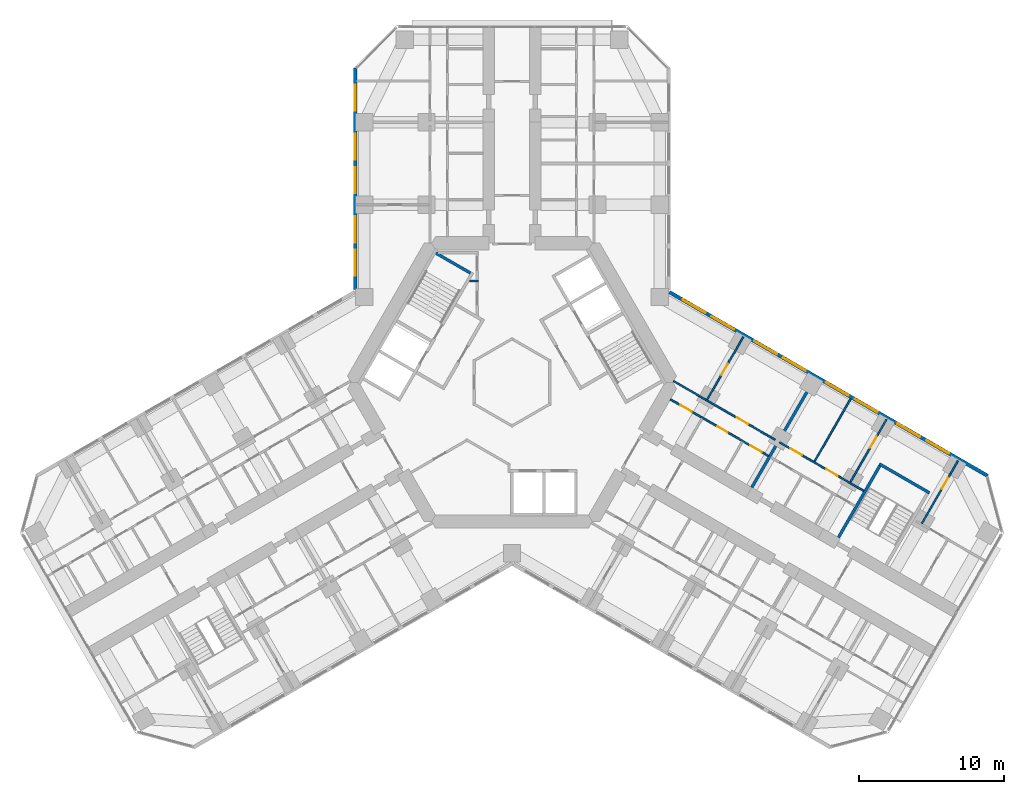
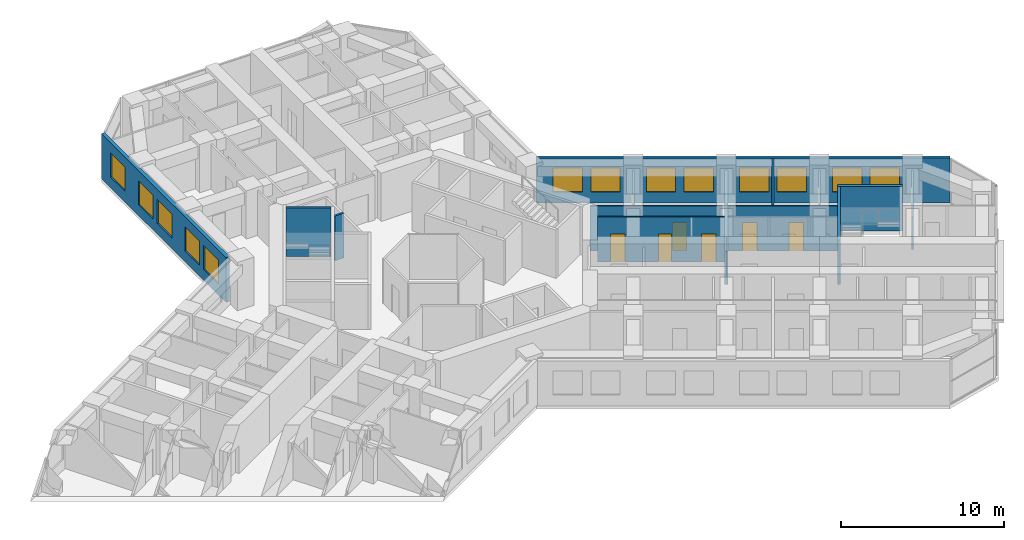
# One storey, part 16 of 20: 14 walls, 13 windows, 9 doors, 22 openings.
"""IFC4 building model written with IfcOpenShell, lengths in metres."""

from ifc_helpers import new_model, si_unit, direction, frame, frame_2d, origin, place, context, subcontext, project, spatial, rectangle, extrude, material, layer, layer_set, type_object, element, fill, save


model = new_model("IFC4")

# Units and contexts
model_context = context("Model", 3, precision=1e-05, world=origin(), true_north=direction((0.0, 1.0)))
body_context = subcontext(model_context, "Body", "Model", "MODEL_VIEW")
ifc_project = project(units=[si_unit("LENGTHUNIT", "METRE"), si_unit("AREAUNIT", "SQUARE_METRE"), si_unit("VOLUMEUNIT", "CUBIC_METRE"), si_unit("PLANEANGLEUNIT", "RADIAN"), si_unit("MASSUNIT", "GRAM", prefix="KILO")], contexts=[model_context])

# Site, building, storey
site_placement = place(None, origin())
site = spatial("IfcSite", under=ifc_project, at=site_placement, CompositionType="ELEMENT")
building_placement = place(site_placement, origin())
building = spatial("IfcBuilding", under=site, at=building_placement, Name="Kosmar Iwan School Tower", CompositionType="ELEMENT")
storey_placement = place(building_placement, frame((0.0, 0.0, 127.39990234375)))
storey = spatial("IfcBuildingStorey", under=building, at=storey_placement, Name="L31", CompositionType="ELEMENT", Elevation=127.39990234375)

# Wall
ifc_material_1 = material(Name="Gypsum board on steel studs, fire-rated", Category="steel")
ifc_layer_1 = layer(ifc_material_1, 0.14990234375)
ifc_layer_set_1 = layer_set([ifc_layer_1], Name="Core room partition 150")
wall_type_1 = type_object("IfcWallType", Name="Core room partition 150", PredefinedType="PARTITIONING", material=ifc_layer_set_1)
wall_1_placement = place(storey_placement, frame((-2.324951171875, 6.985107421875, 0.0), z_axis=(0.0, 0.0, 1.0), x_axis=(-1.0, 0.0, 0.0)))
element("IfcWall", 1, at=wall_1_placement, inside=storey, type_object=wall_type_1, Name="Core room partition L31-CW2", PredefinedType="PARTITIONING", context=body_context, shape_type="SweptSolid", body=[
    extrude(rectangle(XDim=0.623779296875, YDim=0.14990234375, at=frame_2d((0.31201171875, 0.0))), origin(), (0.0, 0.0, 1.0), 3.35009765625),
])

# Wall, openings, doors
ifc_material_2 = material(Name="Gypsum board on steel studs", Category="steel")
ifc_layer_2 = layer(ifc_material_2, 0.1201171875)
ifc_layer_set_2 = layer_set([ifc_layer_2], Name="Dwelling partition 120")
wall_type_2 = type_object("IfcWallType", Name="Dwelling partition 120", PredefinedType="PARTITIONING", material=ifc_layer_set_2)
wall_2_placement = place(storey_placement, frame((10.928466796875, -1.171142578125, 0.0), z_axis=(0.0, 0.0, 1.0), x_axis=(0.866021400173, -0.500006934395, 0.0)))
wall_2 = element("IfcWall", 2, at=wall_2_placement, inside=storey, type_object=wall_type_2, Name="Partition L31-CL1-W1", PredefinedType="PARTITIONING", context=body_context, shape_type="SweptSolid", body=[
    extrude(rectangle(XDim=7.80029296875, YDim=0.1201171875, at=frame_2d((3.900146484375, 0.0))), origin(), (0.0, 0.0, 1.0), 3.35009765625),
])
opening_1_placement = place(wall_2_placement, frame((0.800048828125, 0.0, 0.0)))
opening_1 = element("IfcOpeningElement", 3, at=opening_1_placement, cuts=wall_2, Name="Opening D2", PredefinedType="OPENING", context=body_context, shape_type="SweptSolid", body=[
    extrude(rectangle(XDim=0.89990234375, YDim=2.10009765625, at=frame_2d((0.449951171875, 1.050048828125))), frame((0.0, 0.072021484375, 0.0), z_axis=(0.0, -1.0, 0.0), x_axis=(1.0, 0.0, 0.0)), (0.0, 0.0, 1.0), 0.14404296875),
])
opening_2_placement = place(wall_2_placement, frame((3.755126953125, 0.0, 0.0)))
opening_2 = element("IfcOpeningElement", 4, at=opening_2_placement, cuts=wall_2, Name="Opening D3", PredefinedType="OPENING", context=body_context, shape_type="SweptSolid", body=[
    extrude(rectangle(XDim=0.800048828125, YDim=2.10009765625, at=frame_2d((0.39990234375, 1.050048828125))), frame((0.0, 0.072021484375, 0.0), z_axis=(0.0, -1.0, 0.0), x_axis=(1.0, 0.0, 0.0)), (0.0, 0.0, 1.0), 0.14404296875),
])
opening_3_placement = place(wall_2_placement, frame((6.380126953125, 0.0, 0.0)))
opening_3 = element("IfcOpeningElement", 5, at=opening_3_placement, cuts=wall_2, Name="Opening D2", PredefinedType="OPENING", context=body_context, shape_type="SweptSolid", body=[
    extrude(rectangle(XDim=0.89990234375, YDim=2.10009765625, at=frame_2d((0.449951171875, 1.050048828125))), frame((0.0, 0.072021484375, 0.0), z_axis=(0.0, -1.0, 0.0), x_axis=(1.0, 0.0, 0.0)), (0.0, 0.0, 1.0), 0.14404296875),
])
ifc_material_3 = material(Name="Timber door in timber frame", Category="wood")
door_type_1 = type_object("IfcDoorType", Name="Internal door 900x2100", OperationType="SINGLE_SWING_LEFT", PredefinedType="DOOR", material=ifc_material_3)
door_1_placement = place(opening_1_placement, origin())
door_1 = element("IfcDoor", 6, at=door_1_placement, inside=storey, type_object=door_type_1, Name="Entrance hall door L31-CL1-S1", OperationType="SINGLE_SWING_LEFT", OverallHeight=2.10009765625, OverallWidth=0.89990234375, PredefinedType="DOOR", context=body_context, shape_type="SweptSolid", body=[
    extrude(rectangle(XDim=0.89990234375, YDim=2.10009765625, at=frame_2d((0.449951171875, 1.050048828125))), frame((0.0, 0.02490234375, 0.0), z_axis=(0.0, -1.0, 0.0), x_axis=(1.0, 0.0, 0.0)), (0.0, 0.0, 1.0), 0.050048828125),
])
fill(opening_1, door_1)
door_2_placement = place(opening_3_placement, origin())
door_2 = element("IfcDoor", 7, at=door_2_placement, inside=storey, type_object=door_type_1, Name="Pantry door L31-CL1-S3", OperationType="SINGLE_SWING_RIGHT", OverallHeight=2.10009765625, OverallWidth=0.89990234375, PredefinedType="DOOR", context=body_context, shape_type="SweptSolid", body=[
    extrude(rectangle(XDim=0.89990234375, YDim=2.10009765625, at=frame_2d((0.449951171875, 1.050048828125))), frame((0.0, 0.02490234375, 0.0), z_axis=(0.0, -1.0, 0.0), x_axis=(1.0, 0.0, 0.0)), (0.0, 0.0, 1.0), 0.050048828125),
])
fill(opening_3, door_2)
ifc_material_4 = material(Name="Timber door in timber frame", Category="wood")
door_type_2 = type_object("IfcDoorType", Name="Sanitary room door 800x2100", OperationType="SINGLE_SWING_LEFT", PredefinedType="DOOR", material=ifc_material_4)
door_3_placement = place(opening_2_placement, origin())
door_3 = element("IfcDoor", 8, at=door_3_placement, inside=storey, type_object=door_type_2, Name="Bathroom door L31-CL1-S2", OperationType="SINGLE_SWING_RIGHT", OverallHeight=2.10009765625, OverallWidth=0.800048828125, PredefinedType="DOOR", context=body_context, shape_type="SweptSolid", body=[
    extrude(rectangle(XDim=0.800048828125, YDim=2.10009765625, at=frame_2d((0.39990234375, 1.050048828125))), frame((0.0, 0.02490234375, 0.0), z_axis=(0.0, -1.0, 0.0), x_axis=(1.0, 0.0, 0.0)), (0.0, 0.0, 1.0), 0.050048828125),
])
fill(opening_2, door_3)

# Wall, opening, door
wall_3_placement = place(storey_placement, frame((11.138916015625, 0.093017578125, 0.0), z_axis=(0.0, 0.0, 1.0), x_axis=(0.866017937352, -0.500012932018, 0.0)))
wall_3 = element("IfcWall", 9, at=wall_3_placement, inside=storey, type_object=wall_type_2, Name="Partition L31-CL1-W2", PredefinedType="PARTITIONING", context=body_context, shape_type="SweptSolid", body=[
    extrude(rectangle(XDim=8.099853515625, YDim=0.1201171875, at=frame_2d((4.0498046875, 0.0))), origin(), (0.0, 0.0, 1.0), 3.35009765625),
])
opening_4_placement = place(wall_3_placement, frame((5.050048828125, 0.0, 0.0)))
opening_4 = element("IfcOpeningElement", 10, at=opening_4_placement, cuts=wall_3, Name="Opening D2", PredefinedType="OPENING", context=body_context, shape_type="SweptSolid", body=[
    extrude(rectangle(XDim=0.89990234375, YDim=2.10009765625, at=frame_2d((0.449951171875, 1.050048828125))), frame((0.0, 0.072021484375, 0.0), z_axis=(0.0, -1.0, 0.0), x_axis=(1.0, 0.0, 0.0)), (0.0, 0.0, 1.0), 0.14404296875),
])
door_4_placement = place(opening_4_placement, origin())
door_4 = element("IfcDoor", 11, at=door_4_placement, inside=storey, type_object=door_type_1, Name="Studio living room door L31-CL1-F2", OperationType="SINGLE_SWING_RIGHT", OverallHeight=2.10009765625, OverallWidth=0.89990234375, PredefinedType="DOOR", context=body_context, shape_type="SweptSolid", body=[
    extrude(rectangle(XDim=0.89990234375, YDim=2.10009765625, at=frame_2d((0.449951171875, 1.050048828125))), frame((0.0, 0.02490234375, 0.0), z_axis=(0.0, -1.0, 0.0), x_axis=(1.0, 0.0, 0.0)), (0.0, 0.0, 1.0), 0.050048828125),
])
fill(opening_4, door_4)

wall_4_placement = place(storey_placement, frame((13.4638671875, -1.179931640625, 0.0), z_axis=(0.0, 0.0, 1.0), x_axis=(0.499996339024, 0.86602751744, 0.0)))
wall_4 = element("IfcWall", 12, at=wall_4_placement, inside=storey, type_object=wall_type_2, Name="Partition L31-CL1-X1", PredefinedType="PARTITIONING", context=body_context, shape_type="SweptSolid", body=[
    extrude(rectangle(XDim=4.98974609375, YDim=0.1201171875, at=frame_2d((2.494873046875, 0.0))), origin(), (0.0, 0.0, 1.0), 2.4501953125),
])
opening_5_placement = place(wall_4_placement, frame((1.93994140625, 0.0, 0.0)))
opening_5 = element("IfcOpeningElement", 13, at=opening_5_placement, cuts=wall_4, Name="Opening D2", PredefinedType="OPENING", context=body_context, shape_type="SweptSolid", body=[
    extrude(rectangle(XDim=0.89990234375, YDim=2.10009765625, at=frame_2d((0.449951171875, 1.050048828125))), frame((0.0, 0.072021484375, 0.0), z_axis=(0.0, -1.0, 0.0), x_axis=(1.0, 0.0, 0.0)), (0.0, 0.0, 1.0), 0.14404296875),
])
door_5_placement = place(opening_5_placement, origin())
door_5 = element("IfcDoor", 14, at=door_5_placement, inside=storey, type_object=door_type_1, Name="Kitchen and dining room door L31-CL1-F1", OperationType="SINGLE_SWING_LEFT", OverallHeight=2.10009765625, OverallWidth=0.89990234375, PredefinedType="DOOR", context=body_context, shape_type="SweptSolid", body=[
    extrude(rectangle(XDim=0.89990234375, YDim=2.10009765625, at=frame_2d((0.449951171875, 1.050048828125))), frame((0.0, 0.02490234375, 0.0), z_axis=(0.0, -1.0, 0.0), x_axis=(1.0, 0.0, 0.0)), (0.0, 0.0, 1.0), 0.050048828125),
])
fill(opening_5, door_5)

# Wall, openings, doors
wall_5_placement = place(storey_placement, frame((18.456787109375, -4.1318359375, 0.0), z_axis=(0.0, 0.0, 1.0), x_axis=(0.866014461049, -0.500018952895, 0.0)))
wall_5 = element("IfcWall", 15, at=wall_5_placement, inside=storey, type_object=wall_type_2, Name="Partition L31-CL2-W2", PredefinedType="PARTITIONING", context=body_context, shape_type="SweptSolid", body=[
    extrude(rectangle(XDim=6.699951171875, YDim=0.1201171875, at=frame_2d((3.35009765625, 0.0))), origin(), (0.0, 0.0, 1.0), 3.35009765625),
])
opening_6_placement = place(wall_5_placement, frame((0.875, 0.0, 0.0)))
opening_6 = element("IfcOpeningElement", 16, at=opening_6_placement, cuts=wall_5, Name="Opening D2", PredefinedType="OPENING", context=body_context, shape_type="SweptSolid", body=[
    extrude(rectangle(XDim=0.89990234375, YDim=2.10009765625, at=frame_2d((0.449951171875, 1.050048828125))), frame((0.0, 0.072021484375, 0.0), z_axis=(0.0, -1.0, 0.0), x_axis=(1.0, 0.0, 0.0)), (0.0, 0.0, 1.0), 0.14404296875),
])
opening_7_placement = place(wall_5_placement, frame((3.72509765625, 0.0, 0.0)))
opening_7 = element("IfcOpeningElement", 17, at=opening_7_placement, cuts=wall_5, Name="Opening D2", PredefinedType="OPENING", context=body_context, shape_type="SweptSolid", body=[
    extrude(rectangle(XDim=0.89990234375, YDim=2.10009765625, at=frame_2d((0.449951171875, 1.050048828125))), frame((0.0, 0.072021484375, 0.0), z_axis=(0.0, -1.0, 0.0), x_axis=(1.0, 0.0, 0.0)), (0.0, 0.0, 1.0), 0.14404296875),
])
door_6_placement = place(opening_6_placement, origin())
door_6 = element("IfcDoor", 18, at=door_6_placement, inside=storey, type_object=door_type_1, Name="Family room and kitchen door L31-CL2-F1", OperationType="SINGLE_SWING_LEFT", OverallHeight=2.10009765625, OverallWidth=0.89990234375, PredefinedType="DOOR", context=body_context, shape_type="SweptSolid", body=[
    extrude(rectangle(XDim=0.89990234375, YDim=2.10009765625, at=frame_2d((0.449951171875, 1.050048828125))), frame((0.0, 0.02490234375, 0.0), z_axis=(0.0, -1.0, 0.0), x_axis=(1.0, 0.0, 0.0)), (0.0, 0.0, 1.0), 0.050048828125),
])
fill(opening_6, door_6)
door_7_placement = place(opening_7_placement, origin())
door_7 = element("IfcDoor", 19, at=door_7_placement, inside=storey, type_object=door_type_1, Name="Bedroom 1 door L31-CL2-F2", OperationType="SINGLE_SWING_RIGHT", OverallHeight=2.10009765625, OverallWidth=0.89990234375, PredefinedType="DOOR", context=body_context, shape_type="SweptSolid", body=[
    extrude(rectangle(XDim=0.89990234375, YDim=2.10009765625, at=frame_2d((0.449951171875, 1.050048828125))), frame((0.0, 0.02490234375, 0.0), z_axis=(0.0, -1.0, 0.0), x_axis=(1.0, 0.0, 0.0)), (0.0, 0.0, 1.0), 0.050048828125),
])
fill(opening_7, door_7)

# Wall
wall_6_placement = place(storey_placement, frame((20.868408203125, -5.455078125, 0.0), z_axis=(0.0, 0.0, 1.0), x_axis=(0.499975153383, 0.86603974851, 0.0)))
element("IfcWall", 20, at=wall_6_placement, inside=storey, type_object=wall_type_2, Name="Partition L31-CL2-X1", PredefinedType="PARTITIONING", context=body_context, shape_type="SweptSolid", body=[
    extrude(rectangle(XDim=4.989990234375, YDim=0.1201171875, at=frame_2d((2.4951171875, 0.0))), origin(), (0.0, 0.0, 1.0), 3.35009765625),
])

# Wall, opening, door
wall_7_placement = place(storey_placement, frame((23.33642578125, -6.8798828125, 0.0), z_axis=(0.0, 0.0, 1.0), x_axis=(0.500033033937, 0.866006330792, 0.0)))
wall_7 = element("IfcWall", 21, at=wall_7_placement, inside=storey, type_object=wall_type_2, Name="Partition L31-CL2-TB", PredefinedType="PARTITIONING", context=body_context, shape_type="SweptSolid", body=[
    extrude(rectangle(XDim=4.989990234375, YDim=0.1201171875, at=frame_2d((2.4951171875, 0.0))), origin(), (0.0, 0.0, 1.0), 2.4501953125),
])
opening_8_placement = place(wall_7_placement, frame((2.739990234375, 0.0, 0.0)))
opening_8 = element("IfcOpeningElement", 22, at=opening_8_placement, cuts=wall_7, Name="Opening D2", PredefinedType="OPENING", context=body_context, shape_type="SweptSolid", body=[
    extrude(rectangle(XDim=0.89990234375, YDim=2.10009765625, at=frame_2d((0.449951171875, 1.050048828125))), frame((0.0, 0.072021484375, 0.0), z_axis=(0.0, -1.0, 0.0), x_axis=(1.0, 0.0, 0.0)), (0.0, 0.0, 1.0), 0.14404296875),
])
door_8_placement = place(opening_8_placement, origin())
door_8 = element("IfcDoor", 23, at=door_8_placement, inside=storey, type_object=door_type_1, Name="Study door L31-CL2-F2", OperationType="SINGLE_SWING_RIGHT", OverallHeight=2.10009765625, OverallWidth=0.89990234375, PredefinedType="DOOR", context=body_context, shape_type="SweptSolid", body=[
    extrude(rectangle(XDim=0.89990234375, YDim=2.10009765625, at=frame_2d((0.449951171875, 1.050048828125))), frame((0.0, 0.02490234375, 0.0), z_axis=(0.0, -1.0, 0.0), x_axis=(1.0, 0.0, 0.0)), (0.0, 0.0, 1.0), 0.050048828125),
])
fill(opening_8, door_8)

wall_8_placement = place(storey_placement, frame((28.27294921875, -9.72998046875, 0.0), z_axis=(0.0, 0.0, 1.0), x_axis=(0.499975153383, 0.86603974851, 0.0)))
wall_8 = element("IfcWall", 24, at=wall_8_placement, inside=storey, type_object=wall_type_2, Name="Partition L31-CL2-TX", PredefinedType="PARTITIONING", context=body_context, shape_type="SweptSolid", body=[
    extrude(rectangle(XDim=4.989990234375, YDim=0.1201171875, at=frame_2d((2.4951171875, 0.0))), origin(), (0.0, 0.0, 1.0), 2.4501953125),
])
opening_9_placement = place(wall_8_placement, frame((2.739990234375, 0.0, 0.0)))
opening_9 = element("IfcOpeningElement", 25, at=opening_9_placement, cuts=wall_8, Name="Opening D2", PredefinedType="OPENING", context=body_context, shape_type="SweptSolid", body=[
    extrude(rectangle(XDim=0.89990234375, YDim=2.10009765625, at=frame_2d((0.449951171875, 1.050048828125))), frame((0.0, 0.072021484375, 0.0), z_axis=(0.0, -1.0, 0.0), x_axis=(1.0, 0.0, 0.0)), (0.0, 0.0, 1.0), 0.14404296875),
])
door_9_placement = place(opening_9_placement, origin())
door_9 = element("IfcDoor", 26, at=door_9_placement, inside=storey, type_object=door_type_1, Name="Study door L31-CL2-T1", OperationType="SINGLE_SWING_RIGHT", OverallHeight=2.10009765625, OverallWidth=0.89990234375, PredefinedType="DOOR", context=body_context, shape_type="SweptSolid", body=[
    extrude(rectangle(XDim=0.89990234375, YDim=2.10009765625, at=frame_2d((0.449951171875, 1.050048828125))), frame((0.0, 0.02490234375, 0.0), z_axis=(0.0, -1.0, 0.0), x_axis=(1.0, 0.0, 0.0)), (0.0, 0.0, 1.0), 0.050048828125),
])
fill(opening_9, door_9)

# Walls
ifc_material_5 = material(Name="Concrete C35/45", Category="concrete")
ifc_layer_3 = layer(ifc_material_5, 0.199951171875)
ifc_layer_set_3 = layer_set([ifc_layer_3], Name="Escape stair wall 200")
wall_type_3 = type_object("IfcWallType", Name="Escape stair wall 200", PredefinedType="SHEAR", material=ifc_layer_set_3)
wall_9_placement = place(storey_placement, frame((22.520751953125, -10.69287109375, 0.0), z_axis=(0.0, 0.0, 1.0), x_axis=(0.500006628179, 0.86602157697, 0.0)))
element("IfcWall", 27, at=wall_9_placement, inside=storey, type_object=wall_type_3, Name="Stair WS3 wall", PredefinedType="SHEAR", context=body_context, shape_type="SweptSolid", body=[
    extrude(rectangle(XDim=5.89990234375, YDim=0.199951171875, at=frame_2d((2.949951171875, 0.0))), origin(), (0.0, 0.0, 1.0), 3.330078125),
])
wall_10_placement = place(storey_placement, frame((25.334228515625, -5.6201171875, 0.0), z_axis=(0.0, 0.0, 1.0), x_axis=(0.866026010844, -0.49999894854, 0.0)))
element("IfcWall", 28, at=wall_10_placement, inside=storey, type_object=wall_type_3, Name="Stair WS3 wall", PredefinedType="SHEAR", context=body_context, shape_type="SweptSolid", body=[
    extrude(rectangle(XDim=4.0, YDim=0.199951171875, at=frame_2d((2.0, 0.0))), origin(), (0.0, 0.0, 1.0), 3.330078125),
])

# Wall, openings, windows
ifc_material_6 = material(Name="Black aluminium rainscreen on insulated framing", Category="aluminium")
ifc_layer_4 = layer(ifc_material_6, 0.25)
ifc_layer_set_4 = layer_set([ifc_layer_4], Name="External wall rainscreen 250")
wall_type_4 = type_object("IfcWallType", Name="External wall rainscreen 250", PredefinedType="SOLIDWALL", material=ifc_layer_set_4)
wall_11_placement = place(storey_placement, frame((10.862548828125, 6.228271484375, 0.0), z_axis=(0.0, 0.0, 1.0), x_axis=(0.866024996846, -0.500000704837, 0.0)))
wall_11 = element("IfcWall", 29, at=wall_11_placement, inside=storey, type_object=wall_type_4, Name="External wall CL L31", PredefinedType="SOLIDWALL", context=body_context, shape_type="SweptSolid", body=[
    extrude(rectangle(XDim=25.34228515625, YDim=0.25, at=frame_2d((12.671142578125, 0.0))), origin(), (0.0, 0.0, 1.0), 3.35009765625),
])
opening_10_placement = place(wall_11_placement, frame((1.056884765625, 0.0, 0.800048828125)))
opening_10 = element("IfcOpeningElement", 30, at=opening_10_placement, cuts=wall_11, Name="Opening W1", PredefinedType="OPENING", context=body_context, shape_type="SweptSolid", body=[
    extrude(rectangle(XDim=1.800048828125, YDim=1.800048828125, at=frame_2d((0.89990234375, 0.89990234375))), frame((0.0, 0.136962890625, 0.0), z_axis=(0.0, -1.0, 0.0), x_axis=(1.0, 0.0, 0.0)), (0.0, 0.0, 1.0), 0.27392578125),
])
opening_11_placement = place(wall_11_placement, frame((3.35693359375, 0.0, 0.800048828125)))
opening_11 = element("IfcOpeningElement", 31, at=opening_11_placement, cuts=wall_11, Name="Opening W1", PredefinedType="OPENING", context=body_context, shape_type="SweptSolid", body=[
    extrude(rectangle(XDim=1.800048828125, YDim=1.800048828125, at=frame_2d((0.89990234375, 0.89990234375))), frame((0.0, 0.136962890625, 0.0), z_axis=(0.0, -1.0, 0.0), x_axis=(1.0, 0.0, 0.0)), (0.0, 0.0, 1.0), 0.27392578125),
])
opening_12_placement = place(wall_11_placement, frame((6.7568359375, 0.0, 0.800048828125)))
opening_12 = element("IfcOpeningElement", 32, at=opening_12_placement, cuts=wall_11, Name="Opening W1", PredefinedType="OPENING", context=body_context, shape_type="SweptSolid", body=[
    extrude(rectangle(XDim=1.800048828125, YDim=1.800048828125, at=frame_2d((0.89990234375, 0.89990234375))), frame((0.0, 0.136962890625, 0.0), z_axis=(0.0, -1.0, 0.0), x_axis=(1.0, 0.0, 0.0)), (0.0, 0.0, 1.0), 0.27392578125),
])
opening_13_placement = place(wall_11_placement, frame((9.056884765625, 0.0, 0.800048828125)))
opening_13 = element("IfcOpeningElement", 33, at=opening_13_placement, cuts=wall_11, Name="Opening W1", PredefinedType="OPENING", context=body_context, shape_type="SweptSolid", body=[
    extrude(rectangle(XDim=1.800048828125, YDim=1.800048828125, at=frame_2d((0.89990234375, 0.89990234375))), frame((0.0, 0.136962890625, 0.0), z_axis=(0.0, -1.0, 0.0), x_axis=(1.0, 0.0, 0.0)), (0.0, 0.0, 1.0), 0.27392578125),
])
opening_14_placement = place(wall_11_placement, frame((12.456787109375, 0.0, 0.800048828125)))
opening_14 = element("IfcOpeningElement", 34, at=opening_14_placement, cuts=wall_11, Name="Opening W1", PredefinedType="OPENING", context=body_context, shape_type="SweptSolid", body=[
    extrude(rectangle(XDim=1.800048828125, YDim=1.800048828125, at=frame_2d((0.89990234375, 0.89990234375))), frame((0.0, 0.136962890625, 0.0), z_axis=(0.0, -1.0, 0.0), x_axis=(1.0, 0.0, 0.0)), (0.0, 0.0, 1.0), 0.27392578125),
])
opening_15_placement = place(wall_11_placement, frame((14.7568359375, 0.0, 0.800048828125)))
opening_15 = element("IfcOpeningElement", 35, at=opening_15_placement, cuts=wall_11, Name="Opening W1", PredefinedType="OPENING", context=body_context, shape_type="SweptSolid", body=[
    extrude(rectangle(XDim=1.800048828125, YDim=1.800048828125, at=frame_2d((0.89990234375, 0.89990234375))), frame((0.0, 0.136962890625, 0.0), z_axis=(0.0, -1.0, 0.0), x_axis=(1.0, 0.0, 0.0)), (0.0, 0.0, 1.0), 0.27392578125),
])
opening_16_placement = place(wall_11_placement, frame((18.156982421875, 0.0, 0.800048828125)))
opening_16 = element("IfcOpeningElement", 36, at=opening_16_placement, cuts=wall_11, Name="Opening W1", PredefinedType="OPENING", context=body_context, shape_type="SweptSolid", body=[
    extrude(rectangle(XDim=1.800048828125, YDim=1.800048828125, at=frame_2d((0.89990234375, 0.89990234375))), frame((0.0, 0.136962890625, 0.0), z_axis=(0.0, -1.0, 0.0), x_axis=(1.0, 0.0, 0.0)), (0.0, 0.0, 1.0), 0.27392578125),
])
opening_17_placement = place(wall_11_placement, frame((20.456787109375, 0.0, 0.800048828125)))
opening_17 = element("IfcOpeningElement", 37, at=opening_17_placement, cuts=wall_11, Name="Opening W1", PredefinedType="OPENING", context=body_context, shape_type="SweptSolid", body=[
    extrude(rectangle(XDim=1.800048828125, YDim=1.800048828125, at=frame_2d((0.89990234375, 0.89990234375))), frame((0.0, 0.136962890625, 0.0), z_axis=(0.0, -1.0, 0.0), x_axis=(1.0, 0.0, 0.0)), (0.0, 0.0, 1.0), 0.27392578125),
])
ifc_material_7 = material(Name="Black aluminium frame with dark triple glazing", Category="aluminium")
window_type = type_object("IfcWindowType", Name="Window 1800x1800", PartitioningType="SINGLE_PANEL", PredefinedType="WINDOW", material=ifc_material_7)
window_1_placement = place(opening_10_placement, origin())
window_1 = element("IfcWindow", 38, at=window_1_placement, inside=storey, type_object=window_type, Name="Window CL L31 -1", OverallHeight=1.800048828125, OverallWidth=1.800048828125, PartitioningType="SINGLE_PANEL", PredefinedType="WINDOW", context=body_context, shape_type="SweptSolid", body=[
    extrude(rectangle(XDim=1.800048828125, YDim=1.800048828125, at=frame_2d((0.89990234375, 0.89990234375))), frame((0.0, 0.030029296875, 0.0), z_axis=(0.0, -1.0, 0.0), x_axis=(1.0, 0.0, 0.0)), (0.0, 0.0, 1.0), 0.06005859375),
])
fill(opening_10, window_1)
window_2_placement = place(opening_11_placement, origin())
window_2 = element("IfcWindow", 39, at=window_2_placement, inside=storey, type_object=window_type, Name="Window CL L31 0", OverallHeight=1.800048828125, OverallWidth=1.800048828125, PartitioningType="SINGLE_PANEL", PredefinedType="WINDOW", context=body_context, shape_type="SweptSolid", body=[
    extrude(rectangle(XDim=1.800048828125, YDim=1.800048828125, at=frame_2d((0.89990234375, 0.89990234375))), frame((0.0, 0.030029296875, 0.0), z_axis=(0.0, -1.0, 0.0), x_axis=(1.0, 0.0, 0.0)), (0.0, 0.0, 1.0), 0.06005859375),
])
fill(opening_11, window_2)
window_3_placement = place(opening_12_placement, origin())
window_3 = element("IfcWindow", 40, at=window_3_placement, inside=storey, type_object=window_type, Name="Window CL L31 1", OverallHeight=1.800048828125, OverallWidth=1.800048828125, PartitioningType="SINGLE_PANEL", PredefinedType="WINDOW", context=body_context, shape_type="SweptSolid", body=[
    extrude(rectangle(XDim=1.800048828125, YDim=1.800048828125, at=frame_2d((0.89990234375, 0.89990234375))), frame((0.0, 0.030029296875, 0.0), z_axis=(0.0, -1.0, 0.0), x_axis=(1.0, 0.0, 0.0)), (0.0, 0.0, 1.0), 0.06005859375),
])
fill(opening_12, window_3)
window_4_placement = place(opening_13_placement, origin())
window_4 = element("IfcWindow", 41, at=window_4_placement, inside=storey, type_object=window_type, Name="Window CL L31 2", OverallHeight=1.800048828125, OverallWidth=1.800048828125, PartitioningType="SINGLE_PANEL", PredefinedType="WINDOW", context=body_context, shape_type="SweptSolid", body=[
    extrude(rectangle(XDim=1.800048828125, YDim=1.800048828125, at=frame_2d((0.89990234375, 0.89990234375))), frame((0.0, 0.030029296875, 0.0), z_axis=(0.0, -1.0, 0.0), x_axis=(1.0, 0.0, 0.0)), (0.0, 0.0, 1.0), 0.06005859375),
])
fill(opening_13, window_4)
window_5_placement = place(opening_14_placement, origin())
window_5 = element("IfcWindow", 42, at=window_5_placement, inside=storey, type_object=window_type, Name="Window CL L31 3", OverallHeight=1.800048828125, OverallWidth=1.800048828125, PartitioningType="SINGLE_PANEL", PredefinedType="WINDOW", context=body_context, shape_type="SweptSolid", body=[
    extrude(rectangle(XDim=1.800048828125, YDim=1.800048828125, at=frame_2d((0.89990234375, 0.89990234375))), frame((0.0, 0.030029296875, 0.0), z_axis=(0.0, -1.0, 0.0), x_axis=(1.0, 0.0, 0.0)), (0.0, 0.0, 1.0), 0.06005859375),
])
fill(opening_14, window_5)
window_6_placement = place(opening_15_placement, origin())
window_6 = element("IfcWindow", 43, at=window_6_placement, inside=storey, type_object=window_type, Name="Window CL L31 4", OverallHeight=1.800048828125, OverallWidth=1.800048828125, PartitioningType="SINGLE_PANEL", PredefinedType="WINDOW", context=body_context, shape_type="SweptSolid", body=[
    extrude(rectangle(XDim=1.800048828125, YDim=1.800048828125, at=frame_2d((0.89990234375, 0.89990234375))), frame((0.0, 0.030029296875, 0.0), z_axis=(0.0, -1.0, 0.0), x_axis=(1.0, 0.0, 0.0)), (0.0, 0.0, 1.0), 0.06005859375),
])
fill(opening_15, window_6)
window_7_placement = place(opening_16_placement, origin())
window_7 = element("IfcWindow", 44, at=window_7_placement, inside=storey, type_object=window_type, Name="Window CL L31 5", OverallHeight=1.800048828125, OverallWidth=1.800048828125, PartitioningType="SINGLE_PANEL", PredefinedType="WINDOW", context=body_context, shape_type="SweptSolid", body=[
    extrude(rectangle(XDim=1.800048828125, YDim=1.800048828125, at=frame_2d((0.89990234375, 0.89990234375))), frame((0.0, 0.030029296875, 0.0), z_axis=(0.0, -1.0, 0.0), x_axis=(1.0, 0.0, 0.0)), (0.0, 0.0, 1.0), 0.06005859375),
])
fill(opening_16, window_7)
window_8_placement = place(opening_17_placement, origin())
window_8 = element("IfcWindow", 45, at=window_8_placement, inside=storey, type_object=window_type, Name="Window CL L31 6", OverallHeight=1.800048828125, OverallWidth=1.800048828125, PartitioningType="SINGLE_PANEL", PredefinedType="WINDOW", context=body_context, shape_type="SweptSolid", body=[
    extrude(rectangle(XDim=1.800048828125, YDim=1.800048828125, at=frame_2d((0.89990234375, 0.89990234375))), frame((0.0, 0.030029296875, 0.0), z_axis=(0.0, -1.0, 0.0), x_axis=(1.0, 0.0, 0.0)), (0.0, 0.0, 1.0), 0.06005859375),
])
fill(opening_17, window_8)

wall_12_placement = place(storey_placement, frame((-10.824951171875, 6.408935546875, 0.0), z_axis=(0.0, 0.0, 1.0), x_axis=(0.0, 1.0, 0.0)))
wall_12 = element("IfcWall", 46, at=wall_12_placement, inside=storey, type_object=wall_type_4, Name="External wall AL L31", PredefinedType="SOLIDWALL", context=body_context, shape_type="SweptSolid", body=[
    extrude(rectangle(XDim=15.2763671875, YDim=0.25, at=frame_2d((7.63818359375, 0.0))), origin(), (0.0, 0.0, 1.0), 3.35009765625),
])
opening_18_placement = place(wall_12_placement, frame((0.94091796875, 0.0, 0.800048828125)))
opening_18 = element("IfcOpeningElement", 47, at=opening_18_placement, cuts=wall_12, Name="Opening W1", PredefinedType="OPENING", context=body_context, shape_type="SweptSolid", body=[
    extrude(rectangle(XDim=1.800048828125, YDim=1.800048828125, at=frame_2d((0.89990234375, 0.89990234375))), frame((0.0, 0.136962890625, 0.0), z_axis=(0.0, -1.0, 0.0), x_axis=(1.0, 0.0, 0.0)), (0.0, 0.0, 1.0), 0.27392578125),
])
opening_19_placement = place(wall_12_placement, frame((3.240966796875, 0.0, 0.800048828125)))
opening_19 = element("IfcOpeningElement", 48, at=opening_19_placement, cuts=wall_12, Name="Opening W1", PredefinedType="OPENING", context=body_context, shape_type="SweptSolid", body=[
    extrude(rectangle(XDim=1.800048828125, YDim=1.800048828125, at=frame_2d((0.89990234375, 0.89990234375))), frame((0.0, 0.136962890625, 0.0), z_axis=(0.0, -1.0, 0.0), x_axis=(1.0, 0.0, 0.0)), (0.0, 0.0, 1.0), 0.27392578125),
])
opening_20_placement = place(wall_12_placement, frame((6.64111328125, 0.0, 0.800048828125)))
opening_20 = element("IfcOpeningElement", 49, at=opening_20_placement, cuts=wall_12, Name="Opening W1", PredefinedType="OPENING", context=body_context, shape_type="SweptSolid", body=[
    extrude(rectangle(XDim=1.800048828125, YDim=1.800048828125, at=frame_2d((0.89990234375, 0.89990234375))), frame((0.0, 0.136962890625, 0.0), z_axis=(0.0, -1.0, 0.0), x_axis=(1.0, 0.0, 0.0)), (0.0, 0.0, 1.0), 0.27392578125),
])
opening_21_placement = place(wall_12_placement, frame((8.94091796875, 0.0, 0.800048828125)))
opening_21 = element("IfcOpeningElement", 50, at=opening_21_placement, cuts=wall_12, Name="Opening W1", PredefinedType="OPENING", context=body_context, shape_type="SweptSolid", body=[
    extrude(rectangle(XDim=1.800048828125, YDim=1.800048828125, at=frame_2d((0.89990234375, 0.89990234375))), frame((0.0, 0.136962890625, 0.0), z_axis=(0.0, -1.0, 0.0), x_axis=(1.0, 0.0, 0.0)), (0.0, 0.0, 1.0), 0.27392578125),
])
opening_22_placement = place(wall_12_placement, frame((12.341064453125, 0.0, 0.800048828125)))
opening_22 = element("IfcOpeningElement", 51, at=opening_22_placement, cuts=wall_12, Name="Opening W1", PredefinedType="OPENING", context=body_context, shape_type="SweptSolid", body=[
    extrude(rectangle(XDim=1.800048828125, YDim=1.800048828125, at=frame_2d((0.89990234375, 0.89990234375))), frame((0.0, 0.136962890625, 0.0), z_axis=(0.0, -1.0, 0.0), x_axis=(1.0, 0.0, 0.0)), (0.0, 0.0, 1.0), 0.27392578125),
])
window_9_placement = place(opening_18_placement, origin())
window_9 = element("IfcWindow", 52, at=window_9_placement, inside=storey, type_object=window_type, Name="Window AL L31 -1", OverallHeight=1.800048828125, OverallWidth=1.800048828125, PartitioningType="SINGLE_PANEL", PredefinedType="WINDOW", context=body_context, shape_type="SweptSolid", body=[
    extrude(rectangle(XDim=1.800048828125, YDim=1.800048828125, at=frame_2d((0.89990234375, 0.89990234375))), frame((0.0, 0.030029296875, 0.0), z_axis=(0.0, -1.0, 0.0), x_axis=(1.0, 0.0, 0.0)), (0.0, 0.0, 1.0), 0.06005859375),
])
fill(opening_18, window_9)
window_10_placement = place(opening_19_placement, origin())
window_10 = element("IfcWindow", 53, at=window_10_placement, inside=storey, type_object=window_type, Name="Window AL L31 0", OverallHeight=1.800048828125, OverallWidth=1.800048828125, PartitioningType="SINGLE_PANEL", PredefinedType="WINDOW", context=body_context, shape_type="SweptSolid", body=[
    extrude(rectangle(XDim=1.800048828125, YDim=1.800048828125, at=frame_2d((0.89990234375, 0.89990234375))), frame((0.0, 0.030029296875, 0.0), z_axis=(0.0, -1.0, 0.0), x_axis=(1.0, 0.0, 0.0)), (0.0, 0.0, 1.0), 0.06005859375),
])
fill(opening_19, window_10)
window_11_placement = place(opening_20_placement, origin())
window_11 = element("IfcWindow", 54, at=window_11_placement, inside=storey, type_object=window_type, Name="Window AL L31 1", OverallHeight=1.800048828125, OverallWidth=1.800048828125, PartitioningType="SINGLE_PANEL", PredefinedType="WINDOW", context=body_context, shape_type="SweptSolid", body=[
    extrude(rectangle(XDim=1.800048828125, YDim=1.800048828125, at=frame_2d((0.89990234375, 0.89990234375))), frame((0.0, 0.030029296875, 0.0), z_axis=(0.0, -1.0, 0.0), x_axis=(1.0, 0.0, 0.0)), (0.0, 0.0, 1.0), 0.06005859375),
])
fill(opening_20, window_11)
window_12_placement = place(opening_21_placement, origin())
window_12 = element("IfcWindow", 55, at=window_12_placement, inside=storey, type_object=window_type, Name="Window AL L31 2", OverallHeight=1.800048828125, OverallWidth=1.800048828125, PartitioningType="SINGLE_PANEL", PredefinedType="WINDOW", context=body_context, shape_type="SweptSolid", body=[
    extrude(rectangle(XDim=1.800048828125, YDim=1.800048828125, at=frame_2d((0.89990234375, 0.89990234375))), frame((0.0, 0.030029296875, 0.0), z_axis=(0.0, -1.0, 0.0), x_axis=(1.0, 0.0, 0.0)), (0.0, 0.0, 1.0), 0.06005859375),
])
fill(opening_21, window_12)
window_13_placement = place(opening_22_placement, origin())
window_13 = element("IfcWindow", 56, at=window_13_placement, inside=storey, type_object=window_type, Name="Window AL L31 3", OverallHeight=1.800048828125, OverallWidth=1.800048828125, PartitioningType="SINGLE_PANEL", PredefinedType="WINDOW", context=body_context, shape_type="SweptSolid", body=[
    extrude(rectangle(XDim=1.800048828125, YDim=1.800048828125, at=frame_2d((0.89990234375, 0.89990234375))), frame((0.0, 0.030029296875, 0.0), z_axis=(0.0, -1.0, 0.0), x_axis=(1.0, 0.0, 0.0)), (0.0, 0.0, 1.0), 0.06005859375),
])
fill(opening_22, window_13)

# Walls
ifc_material_8 = material(Name="Concrete block masonry", Category="masonry")
ifc_layer_5 = layer(ifc_material_8, 0.199951171875)
ifc_layer_set_5 = layer_set([ifc_layer_5], Name="Party wall 200")
wall_type_5 = type_object("IfcWallType", Name="Party wall 200", PredefinedType="PARTITIONING", material=ifc_layer_set_5)
wall_13_placement = place(storey_placement, frame((16.545166015625, -7.242919921875, 0.0), z_axis=(0.0, 0.0, 1.0), x_axis=(0.500008278454, 0.866020624164, 0.0)))
element("IfcWall", 57, at=wall_13_placement, inside=storey, type_object=wall_type_5, Name="Partition L31-CL2-PW", PredefinedType="PARTITIONING", context=body_context, shape_type="SweptSolid", body=[
    extrude(rectangle(XDim=8.699951171875, YDim=0.199951171875, at=frame_2d((4.35009765625, 0.0))), origin(), (0.0, 0.0, 1.0), 2.4501953125),
])
ifc_material_9 = material(Name="Concrete C50/60", Category="concrete")
ifc_layer_6 = layer(ifc_material_9, 0.199951171875)
ifc_layer_set_6 = layer_set([ifc_layer_6], Name="Stair enclosure wall 200")
wall_type_6 = type_object("IfcWallType", Name="Stair enclosure wall 200", PredefinedType="SHEAR", material=ifc_layer_set_6)
wall_14_placement = place(storey_placement, frame((-2.862548828125, 7.541748046875, 0.0), z_axis=(0.0, 0.0, 1.0), x_axis=(-0.866027397988, 0.499996545922, 0.0)))
element("IfcWall", 58, at=wall_14_placement, inside=storey, type_object=wall_type_6, Name="Stair ST2 wall", PredefinedType="SHEAR", context=body_context, shape_type="SweptSolid", body=[
    extrude(rectangle(XDim=2.75, YDim=0.199951171875, at=frame_2d((1.375, 0.0))), origin(), (0.0, 0.0, 1.0), 3.60009765625),
])

save(model, "model.ifc")
